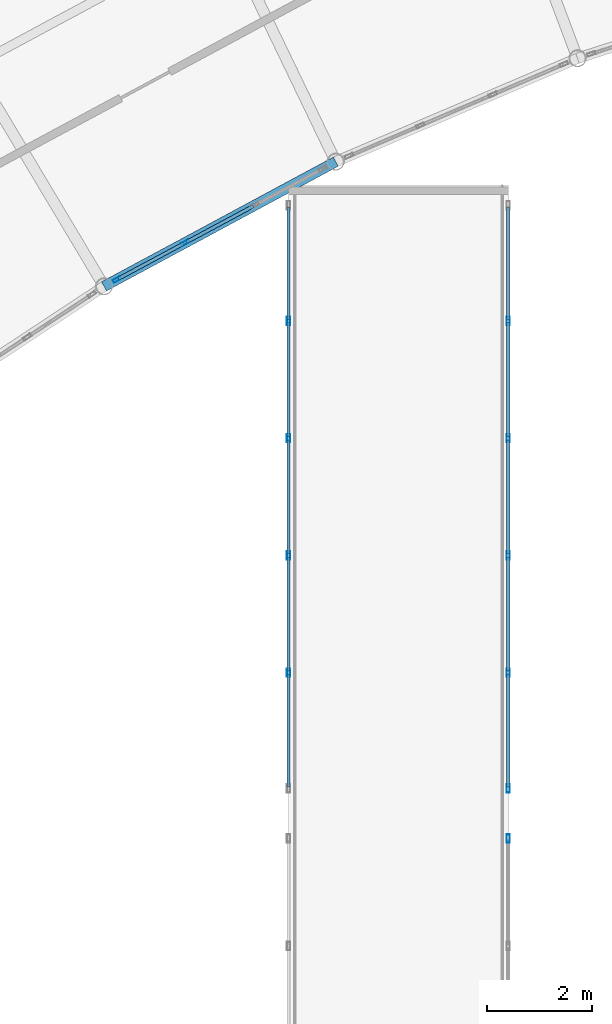
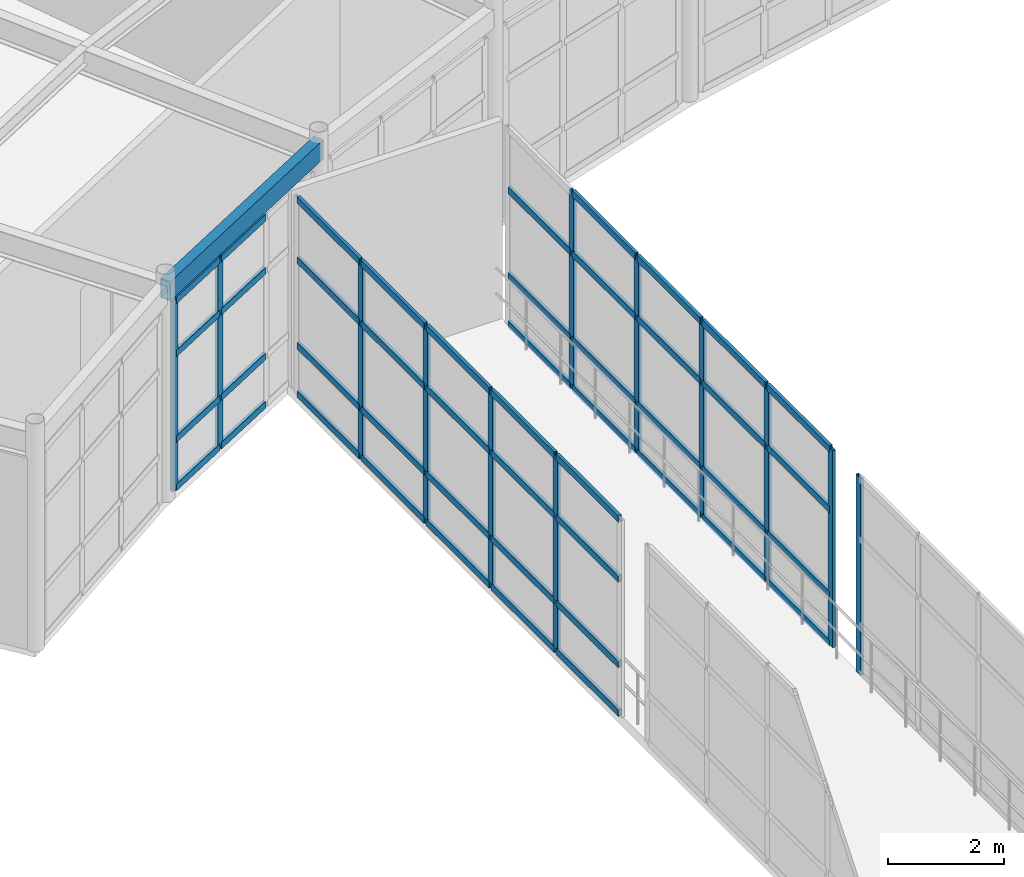
# One storey, part 67 of 116: 59 members, 1 beam, 4 elements without a shape of their own.
"""IFC4 building model written with IfcOpenShell, lengths in metres."""

from ifc_helpers import new_model, si_unit, direction, frame, origin, origin_2d, place, context, subcontext, project, spatial, hollow_rectangle, extrude, material, layer, layer_set, material_profile, profile_set, type_object, element, aggregate, save


model = new_model("IFC4")

# Units and contexts
model_context = context("Model", 3, precision=1e-05, world=origin(), true_north=direction((0.0, 1.0)))
body_context = subcontext(model_context, "Body", "Model", "MODEL_VIEW")
ifc_project = project(units=[si_unit("LENGTHUNIT", "METRE"), si_unit("AREAUNIT", "SQUARE_METRE"), si_unit("VOLUMEUNIT", "CUBIC_METRE"), si_unit("PLANEANGLEUNIT", "RADIAN"), si_unit("MASSUNIT", "GRAM", prefix="KILO")], contexts=[model_context])

# Site, building, storey
site_placement = place(None, origin())
site = spatial("IfcSite", under=ifc_project, at=site_placement, CompositionType="ELEMENT")
building_placement = place(site_placement, origin())
building = spatial("IfcBuilding", under=site, at=building_placement, Name="Selat Folded Stagehouse", CompositionType="ELEMENT")
storey_placement = place(building_placement, frame((0.0, 0.0, 5.39990234375)))
storey = spatial("IfcBuildingStorey", under=building, at=storey_placement, Name="L01", CompositionType="ELEMENT", Elevation=5.39990234375)

# Curtain wall, members
ifc_material_1 = material(Name="Aluminium 6063-T6", Category="aluminium")
ifc_layer_1 = layer(ifc_material_1, 0.18994140625)
ifc_layer_set_1 = layer_set([ifc_layer_1], Name="Aluminium 6063-T6")
curtain_wall_type_1 = type_object("IfcCurtainWallType", Name="CW-REH-ARC", PredefinedType="NOTDEFINED", material=ifc_layer_set_1)
curtain_wall_1_placement = place(storey_placement, origin())
curtain_wall_1 = element("IfcCurtainWall", 1, at=curtain_wall_1_placement, inside=storey, type_object=curtain_wall_type_1, Name="L01 curtain wall CW-REH-L01-01", PredefinedType="NOTDEFINED")
ifc_material_profile_1 = material_profile(ifc_material_1, hollow_rectangle(XDim=0.06005859375, YDim=0.159912109375, WallThickness=0.00390625, at=origin_2d()), Name="ALU 160x60x4.0")
ifc_profile_set_1 = profile_set([ifc_material_profile_1], Name="Aluminium 6063-T6")
member_type_1 = type_object("IfcMemberType", Name="CWM-MUL-160x60", PredefinedType="MULLION", material=ifc_profile_set_1)
member_1_placement = place(storey_placement, frame((65.225830078125, 86.90625, 0.0), z_axis=(0.0, 0.0, 1.0), x_axis=(0.473858636259, -0.880600927119, 0.0)))
member_1 = element("IfcMember", 2, at=member_1_placement, type_object=member_type_1, Name="CW-06 mullion 3", PredefinedType="MULLION", context=body_context, shape_type="SweptSolid", body=[
    extrude(hollow_rectangle(XDim=0.06005859375, YDim=0.159912109375, WallThickness=0.00390625, at=origin_2d()), origin(), (0.0, 0.0, 1.0), 4.0),
])
member_2_placement = place(storey_placement, frame((63.924072265625, 86.205810546875, 0.0), z_axis=(0.0, 0.0, 1.0), x_axis=(0.473858636259, -0.880600927119, 0.0)))
member_2 = element("IfcMember", 3, at=member_2_placement, type_object=member_type_1, Name="CW-06 mullion 4", PredefinedType="MULLION", context=body_context, shape_type="SweptSolid", body=[
    extrude(hollow_rectangle(XDim=0.06005859375, YDim=0.159912109375, WallThickness=0.00390625, at=origin_2d()), origin(), (0.0, 0.0, 1.0), 4.0),
])

ifc_layer_2 = layer(ifc_material_1, 0.175048828125)
ifc_layer_set_2 = layer_set([ifc_layer_2], Name="Aluminium 6063-T6")
curtain_wall_type_2 = type_object("IfcCurtainWallType", Name="CW-BRG-GLAZ", PredefinedType="NOTDEFINED", material=ifc_layer_set_2)
curtain_wall_2_placement = place(storey_placement, origin())
curtain_wall_2 = element("IfcCurtainWall", 4, at=curtain_wall_2_placement, inside=storey, type_object=curtain_wall_type_2, Name="L01 curtain wall CW-BRG-05", PredefinedType="NOTDEFINED")
member_3_placement = place(storey_placement, frame((67.199951171875, 78.68994140625, 0.0), z_axis=(0.0, 0.0, 1.0), x_axis=(-1.0, 0.0, 0.0)))
member_3 = element("IfcMember", 5, at=member_3_placement, type_object=member_type_1, Name="CW-07 mullion 2", PredefinedType="MULLION", context=body_context, shape_type="SweptSolid", body=[
    extrude(hollow_rectangle(XDim=0.06005859375, YDim=0.159912109375, WallThickness=0.00390625, at=origin_2d()), origin(), (0.0, 0.0, 1.0), 4.150146484375),
])
member_4_placement = place(storey_placement, frame((67.199951171875, 80.929931640625, 0.0), z_axis=(0.0, 0.0, 1.0), x_axis=(-1.0, 0.0, 0.0)))
member_4 = element("IfcMember", 6, at=member_4_placement, type_object=member_type_1, Name="CW-07 mullion 3", PredefinedType="MULLION", context=body_context, shape_type="SweptSolid", body=[
    extrude(hollow_rectangle(XDim=0.06005859375, YDim=0.159912109375, WallThickness=0.00390625, at=origin_2d()), origin(), (0.0, 0.0, 1.0), 4.150146484375),
])
member_5_placement = place(storey_placement, frame((67.199951171875, 83.169921875, 0.0), z_axis=(0.0, 0.0, 1.0), x_axis=(-1.0, 0.0, 0.0)))
member_5 = element("IfcMember", 7, at=member_5_placement, type_object=member_type_1, Name="CW-07 mullion 4", PredefinedType="MULLION", context=body_context, shape_type="SweptSolid", body=[
    extrude(hollow_rectangle(XDim=0.06005859375, YDim=0.159912109375, WallThickness=0.00390625, at=origin_2d()), origin(), (0.0, 0.0, 1.0), 4.150146484375),
])
member_6_placement = place(storey_placement, frame((67.199951171875, 85.409912109375, 0.0), z_axis=(0.0, 0.0, 1.0), x_axis=(-1.0, 0.0, 0.0)))
member_6 = element("IfcMember", 8, at=member_6_placement, type_object=member_type_1, Name="CW-07 mullion 5", PredefinedType="MULLION", context=body_context, shape_type="SweptSolid", body=[
    extrude(hollow_rectangle(XDim=0.06005859375, YDim=0.159912109375, WallThickness=0.00390625, at=origin_2d()), origin(), (0.0, 0.0, 1.0), 4.150146484375),
])

# Curtain wall, member
curtain_wall_3_placement = place(storey_placement, origin())
curtain_wall_3 = element("IfcCurtainWall", 9, at=curtain_wall_3_placement, inside=storey, type_object=curtain_wall_type_2, Name="L01 curtain wall CW-BRG-09", PredefinedType="NOTDEFINED")
member_7_placement = place(storey_placement, frame((71.39990234375, 75.52001953125, 0.0), z_axis=(0.0, 0.0, 1.0), x_axis=(1.0, 0.0, 0.0)))
member_7 = element("IfcMember", 10, at=member_7_placement, type_object=member_type_1, Name="CW-07 mullion 1", PredefinedType="MULLION", context=body_context, shape_type="SweptSolid", body=[
    extrude(hollow_rectangle(XDim=0.06005859375, YDim=0.159912109375, WallThickness=0.00390625, at=origin_2d()), origin(), (0.0, 0.0, 1.0), 4.150146484375),
])
aggregate(curtain_wall_3, [member_7])

# Curtain wall, members
curtain_wall_4_placement = place(storey_placement, origin())
curtain_wall_4 = element("IfcCurtainWall", 11, at=curtain_wall_4_placement, inside=storey, type_object=curtain_wall_type_2, Name="L01 curtain wall CW-BRG-10", PredefinedType="NOTDEFINED")
member_8_placement = place(storey_placement, frame((71.39990234375, 85.409912109375, 0.0), z_axis=(0.0, 0.0, 1.0), x_axis=(1.0, 0.0, 0.0)))
member_8 = element("IfcMember", 12, at=member_8_placement, type_object=member_type_1, Name="CW-07 mullion 2", PredefinedType="MULLION", context=body_context, shape_type="SweptSolid", body=[
    extrude(hollow_rectangle(XDim=0.06005859375, YDim=0.159912109375, WallThickness=0.00390625, at=origin_2d()), origin(), (0.0, 0.0, 1.0), 4.150146484375),
])
member_9_placement = place(storey_placement, frame((71.39990234375, 83.169921875, 0.0), z_axis=(0.0, 0.0, 1.0), x_axis=(1.0, 0.0, 0.0)))
member_9 = element("IfcMember", 13, at=member_9_placement, type_object=member_type_1, Name="CW-07 mullion 3", PredefinedType="MULLION", context=body_context, shape_type="SweptSolid", body=[
    extrude(hollow_rectangle(XDim=0.06005859375, YDim=0.159912109375, WallThickness=0.00390625, at=origin_2d()), origin(), (0.0, 0.0, 1.0), 4.150146484375),
])
member_10_placement = place(storey_placement, frame((71.39990234375, 80.929931640625, 0.0), z_axis=(0.0, 0.0, 1.0), x_axis=(1.0, 0.0, 0.0)))
member_10 = element("IfcMember", 14, at=member_10_placement, type_object=member_type_1, Name="CW-07 mullion 4", PredefinedType="MULLION", context=body_context, shape_type="SweptSolid", body=[
    extrude(hollow_rectangle(XDim=0.06005859375, YDim=0.159912109375, WallThickness=0.00390625, at=origin_2d()), origin(), (0.0, 0.0, 1.0), 4.150146484375),
])
member_11_placement = place(storey_placement, frame((71.39990234375, 78.68994140625, 0.0), z_axis=(0.0, 0.0, 1.0), x_axis=(1.0, 0.0, 0.0)))
member_11 = element("IfcMember", 15, at=member_11_placement, type_object=member_type_1, Name="CW-07 mullion 5", PredefinedType="MULLION", context=body_context, shape_type="SweptSolid", body=[
    extrude(hollow_rectangle(XDim=0.06005859375, YDim=0.159912109375, WallThickness=0.00390625, at=origin_2d()), origin(), (0.0, 0.0, 1.0), 4.150146484375),
])
member_12_placement = place(storey_placement, frame((71.39990234375, 76.47998046875, 0.0), z_axis=(0.0, 0.0, 1.0), x_axis=(1.0, 0.0, 0.0)))
member_12 = element("IfcMember", 16, at=member_12_placement, type_object=member_type_1, Name="CW-07 mullion 6", PredefinedType="MULLION", context=body_context, shape_type="SweptSolid", body=[
    extrude(hollow_rectangle(XDim=0.06005859375, YDim=0.159912109375, WallThickness=0.00390625, at=origin_2d()), origin(), (0.0, 0.0, 1.0), 4.150146484375),
])

# Member
ifc_material_profile_2 = material_profile(ifc_material_1, hollow_rectangle(XDim=0.06494140625, YDim=0.139892578125, WallThickness=0.00390625, at=origin_2d()), Name="ALU 140x65x4.0")
ifc_profile_set_2 = profile_set([ifc_material_profile_2], Name="Aluminium 6063-T6")
member_type_2 = type_object("IfcMemberType", Name="CWM-TRN-140x65", PredefinedType="USERDEFINED", material=ifc_profile_set_2)
member_13_placement = place(storey_placement, frame((66.52783203125, 87.60693359375, 0.03271484375), z_axis=(-0.880606383505, -0.473848496178, 0.0), x_axis=(0.473848496178, -0.880606383505, 0.0)))
member_13 = element("IfcMember", 17, at=member_13_placement, type_object=member_type_2, Name="CW-06 transom 2.1", ObjectType="TRANSOM", PredefinedType="USERDEFINED", context=body_context, shape_type="SweptSolid", body=[
    extrude(hollow_rectangle(XDim=0.06494140625, YDim=0.139892578125, WallThickness=0.00390625, at=origin_2d()), origin(), (0.0, 0.0, 1.0), 1.4482421875),
])

member_14_placement = place(storey_placement, frame((66.52783203125, 87.60693359375, 1.050048828125), z_axis=(-0.880606383505, -0.473848496178, 0.0), x_axis=(0.473848496178, -0.880606383505, 0.0)))
member_14 = element("IfcMember", 18, at=member_14_placement, type_object=member_type_2, Name="CW-06 transom 2.2", ObjectType="TRANSOM", PredefinedType="USERDEFINED", context=body_context, shape_type="SweptSolid", body=[
    extrude(hollow_rectangle(XDim=0.06494140625, YDim=0.139892578125, WallThickness=0.00390625, at=origin_2d()), origin(), (0.0, 0.0, 1.0), 1.4482421875),
])

member_15_placement = place(storey_placement, frame((66.52783203125, 87.60693359375, 2.85009765625), z_axis=(-0.880606383505, -0.473848496178, 0.0), x_axis=(0.473848496178, -0.880606383505, 0.0)))
member_15 = element("IfcMember", 19, at=member_15_placement, type_object=member_type_2, Name="CW-06 transom 2.3", ObjectType="TRANSOM", PredefinedType="USERDEFINED", context=body_context, shape_type="SweptSolid", body=[
    extrude(hollow_rectangle(XDim=0.06494140625, YDim=0.139892578125, WallThickness=0.00390625, at=origin_2d()), origin(), (0.0, 0.0, 1.0), 1.4482421875),
])

member_16_placement = place(storey_placement, frame((66.52783203125, 87.60693359375, 3.967529296875), z_axis=(-0.880606383505, -0.473848496178, 0.0), x_axis=(0.473848496178, -0.880606383505, 0.0)))
member_16 = element("IfcMember", 20, at=member_16_placement, type_object=member_type_2, Name="CW-06 transom 2.4", ObjectType="TRANSOM", PredefinedType="USERDEFINED", context=body_context, shape_type="SweptSolid", body=[
    extrude(hollow_rectangle(XDim=0.06494140625, YDim=0.139892578125, WallThickness=0.00390625, at=origin_2d()), origin(), (0.0, 0.0, 1.0), 1.4482421875),
])

member_17_placement = place(storey_placement, frame((65.199462890625, 86.89208984375, 0.03271484375), z_axis=(-0.880598189077, -0.473863724497, 0.0), x_axis=(0.473863724497, -0.880598189077, 0.0)))
member_17 = element("IfcMember", 21, at=member_17_placement, type_object=member_type_2, Name="CW-06 transom 3.1", ObjectType="TRANSOM", PredefinedType="USERDEFINED", context=body_context, shape_type="SweptSolid", body=[
    extrude(hollow_rectangle(XDim=0.06494140625, YDim=0.139892578125, WallThickness=0.00390625, at=origin_2d()), origin(), (0.0, 0.0, 1.0), 1.41845703125),
])

member_18_placement = place(storey_placement, frame((65.199462890625, 86.89208984375, 1.050048828125), z_axis=(-0.880598189077, -0.473863724497, 0.0), x_axis=(0.473863724497, -0.880598189077, 0.0)))
member_18 = element("IfcMember", 22, at=member_18_placement, type_object=member_type_2, Name="CW-06 transom 3.2", ObjectType="TRANSOM", PredefinedType="USERDEFINED", context=body_context, shape_type="SweptSolid", body=[
    extrude(hollow_rectangle(XDim=0.06494140625, YDim=0.139892578125, WallThickness=0.00390625, at=origin_2d()), origin(), (0.0, 0.0, 1.0), 1.41845703125),
])

member_19_placement = place(storey_placement, frame((65.199462890625, 86.89208984375, 2.85009765625), z_axis=(-0.880598189077, -0.473863724497, 0.0), x_axis=(0.473863724497, -0.880598189077, 0.0)))
member_19 = element("IfcMember", 23, at=member_19_placement, type_object=member_type_2, Name="CW-06 transom 3.3", ObjectType="TRANSOM", PredefinedType="USERDEFINED", context=body_context, shape_type="SweptSolid", body=[
    extrude(hollow_rectangle(XDim=0.06494140625, YDim=0.139892578125, WallThickness=0.00390625, at=origin_2d()), origin(), (0.0, 0.0, 1.0), 1.41845703125),
])

member_20_placement = place(storey_placement, frame((65.199462890625, 86.89208984375, 3.967529296875), z_axis=(-0.880598189077, -0.473863724497, 0.0), x_axis=(0.473863724497, -0.880598189077, 0.0)))
member_20 = element("IfcMember", 24, at=member_20_placement, type_object=member_type_2, Name="CW-06 transom 3.4", ObjectType="TRANSOM", PredefinedType="USERDEFINED", context=body_context, shape_type="SweptSolid", body=[
    extrude(hollow_rectangle(XDim=0.06494140625, YDim=0.139892578125, WallThickness=0.00390625, at=origin_2d()), origin(), (0.0, 0.0, 1.0), 1.41845703125),
])

aggregate(curtain_wall_1, [member_1, member_2, member_13, member_14, member_15, member_16, member_17, member_18, member_19, member_20])

member_21_placement = place(storey_placement, frame((67.199951171875, 76.510009765625, 0.03271484375), z_axis=(0.0, 1.0, 0.0), x_axis=(-1.0, 0.0, 0.0)))
member_21 = element("IfcMember", 25, at=member_21_placement, type_object=member_type_2, Name="CW-07 transom 1.1", ObjectType="TRANSOM", PredefinedType="USERDEFINED", context=body_context, shape_type="SweptSolid", body=[
    extrude(hollow_rectangle(XDim=0.06494140625, YDim=0.139892578125, WallThickness=0.00390625, at=origin_2d()), origin(), (0.0, 0.0, 1.0), 2.14990234375),
])

member_22_placement = place(storey_placement, frame((67.199951171875, 76.510009765625, 1.050048828125), z_axis=(0.0, 1.0, 0.0), x_axis=(-1.0, 0.0, 0.0)))
member_22 = element("IfcMember", 26, at=member_22_placement, type_object=member_type_2, Name="CW-07 transom 1.2", ObjectType="TRANSOM", PredefinedType="USERDEFINED", context=body_context, shape_type="SweptSolid", body=[
    extrude(hollow_rectangle(XDim=0.06494140625, YDim=0.139892578125, WallThickness=0.00390625, at=origin_2d()), origin(), (0.0, 0.0, 1.0), 2.14990234375),
])

member_23_placement = place(storey_placement, frame((67.199951171875, 76.510009765625, 2.85009765625), z_axis=(0.0, 1.0, 0.0), x_axis=(-1.0, 0.0, 0.0)))
member_23 = element("IfcMember", 27, at=member_23_placement, type_object=member_type_2, Name="CW-07 transom 1.3", ObjectType="TRANSOM", PredefinedType="USERDEFINED", context=body_context, shape_type="SweptSolid", body=[
    extrude(hollow_rectangle(XDim=0.06494140625, YDim=0.139892578125, WallThickness=0.00390625, at=origin_2d()), origin(), (0.0, 0.0, 1.0), 2.14990234375),
])

member_24_placement = place(storey_placement, frame((67.199951171875, 76.510009765625, 4.11767578125), z_axis=(0.0, 1.0, 0.0), x_axis=(-1.0, 0.0, 0.0)))
member_24 = element("IfcMember", 28, at=member_24_placement, type_object=member_type_2, Name="CW-07 transom 1.4", ObjectType="TRANSOM", PredefinedType="USERDEFINED", context=body_context, shape_type="SweptSolid", body=[
    extrude(hollow_rectangle(XDim=0.06494140625, YDim=0.139892578125, WallThickness=0.00390625, at=origin_2d()), origin(), (0.0, 0.0, 1.0), 2.14990234375),
])

member_25_placement = place(storey_placement, frame((67.199951171875, 78.719970703125, 0.03271484375), z_axis=(0.0, 1.0, 0.0), x_axis=(-1.0, 0.0, 0.0)))
member_25 = element("IfcMember", 29, at=member_25_placement, type_object=member_type_2, Name="CW-07 transom 2.1", ObjectType="TRANSOM", PredefinedType="USERDEFINED", context=body_context, shape_type="SweptSolid", body=[
    extrude(hollow_rectangle(XDim=0.06494140625, YDim=0.139892578125, WallThickness=0.00390625, at=origin_2d()), origin(), (0.0, 0.0, 1.0), 2.179931640625),
])

member_26_placement = place(storey_placement, frame((67.199951171875, 78.719970703125, 1.050048828125), z_axis=(0.0, 1.0, 0.0), x_axis=(-1.0, 0.0, 0.0)))
member_26 = element("IfcMember", 30, at=member_26_placement, type_object=member_type_2, Name="CW-07 transom 2.2", ObjectType="TRANSOM", PredefinedType="USERDEFINED", context=body_context, shape_type="SweptSolid", body=[
    extrude(hollow_rectangle(XDim=0.06494140625, YDim=0.139892578125, WallThickness=0.00390625, at=origin_2d()), origin(), (0.0, 0.0, 1.0), 2.179931640625),
])

member_27_placement = place(storey_placement, frame((67.199951171875, 78.719970703125, 2.85009765625), z_axis=(0.0, 1.0, 0.0), x_axis=(-1.0, 0.0, 0.0)))
member_27 = element("IfcMember", 31, at=member_27_placement, type_object=member_type_2, Name="CW-07 transom 2.3", ObjectType="TRANSOM", PredefinedType="USERDEFINED", context=body_context, shape_type="SweptSolid", body=[
    extrude(hollow_rectangle(XDim=0.06494140625, YDim=0.139892578125, WallThickness=0.00390625, at=origin_2d()), origin(), (0.0, 0.0, 1.0), 2.179931640625),
])

member_28_placement = place(storey_placement, frame((67.199951171875, 78.719970703125, 4.11767578125), z_axis=(0.0, 1.0, 0.0), x_axis=(-1.0, 0.0, 0.0)))
member_28 = element("IfcMember", 32, at=member_28_placement, type_object=member_type_2, Name="CW-07 transom 2.4", ObjectType="TRANSOM", PredefinedType="USERDEFINED", context=body_context, shape_type="SweptSolid", body=[
    extrude(hollow_rectangle(XDim=0.06494140625, YDim=0.139892578125, WallThickness=0.00390625, at=origin_2d()), origin(), (0.0, 0.0, 1.0), 2.179931640625),
])

member_29_placement = place(storey_placement, frame((67.199951171875, 80.9599609375, 0.03271484375), z_axis=(0.0, 1.0, 0.0), x_axis=(-1.0, 0.0, 0.0)))
member_29 = element("IfcMember", 33, at=member_29_placement, type_object=member_type_2, Name="CW-07 transom 3.1", ObjectType="TRANSOM", PredefinedType="USERDEFINED", context=body_context, shape_type="SweptSolid", body=[
    extrude(hollow_rectangle(XDim=0.06494140625, YDim=0.139892578125, WallThickness=0.00390625, at=origin_2d()), origin(), (0.0, 0.0, 1.0), 2.179931640625),
])

member_30_placement = place(storey_placement, frame((67.199951171875, 80.9599609375, 1.050048828125), z_axis=(0.0, 1.0, 0.0), x_axis=(-1.0, 0.0, 0.0)))
member_30 = element("IfcMember", 34, at=member_30_placement, type_object=member_type_2, Name="CW-07 transom 3.2", ObjectType="TRANSOM", PredefinedType="USERDEFINED", context=body_context, shape_type="SweptSolid", body=[
    extrude(hollow_rectangle(XDim=0.06494140625, YDim=0.139892578125, WallThickness=0.00390625, at=origin_2d()), origin(), (0.0, 0.0, 1.0), 2.179931640625),
])

member_31_placement = place(storey_placement, frame((67.199951171875, 80.9599609375, 2.85009765625), z_axis=(0.0, 1.0, 0.0), x_axis=(-1.0, 0.0, 0.0)))
member_31 = element("IfcMember", 35, at=member_31_placement, type_object=member_type_2, Name="CW-07 transom 3.3", ObjectType="TRANSOM", PredefinedType="USERDEFINED", context=body_context, shape_type="SweptSolid", body=[
    extrude(hollow_rectangle(XDim=0.06494140625, YDim=0.139892578125, WallThickness=0.00390625, at=origin_2d()), origin(), (0.0, 0.0, 1.0), 2.179931640625),
])

member_32_placement = place(storey_placement, frame((67.199951171875, 80.9599609375, 4.11767578125), z_axis=(0.0, 1.0, 0.0), x_axis=(-1.0, 0.0, 0.0)))
member_32 = element("IfcMember", 36, at=member_32_placement, type_object=member_type_2, Name="CW-07 transom 3.4", ObjectType="TRANSOM", PredefinedType="USERDEFINED", context=body_context, shape_type="SweptSolid", body=[
    extrude(hollow_rectangle(XDim=0.06494140625, YDim=0.139892578125, WallThickness=0.00390625, at=origin_2d()), origin(), (0.0, 0.0, 1.0), 2.179931640625),
])

member_33_placement = place(storey_placement, frame((67.199951171875, 83.199951171875, 0.03271484375), z_axis=(0.0, 1.0, 0.0), x_axis=(-1.0, 0.0, 0.0)))
member_33 = element("IfcMember", 37, at=member_33_placement, type_object=member_type_2, Name="CW-07 transom 4.1", ObjectType="TRANSOM", PredefinedType="USERDEFINED", context=body_context, shape_type="SweptSolid", body=[
    extrude(hollow_rectangle(XDim=0.06494140625, YDim=0.139892578125, WallThickness=0.00390625, at=origin_2d()), origin(), (0.0, 0.0, 1.0), 2.179931640625),
])

member_34_placement = place(storey_placement, frame((67.199951171875, 83.199951171875, 1.050048828125), z_axis=(0.0, 1.0, 0.0), x_axis=(-1.0, 0.0, 0.0)))
member_34 = element("IfcMember", 38, at=member_34_placement, type_object=member_type_2, Name="CW-07 transom 4.2", ObjectType="TRANSOM", PredefinedType="USERDEFINED", context=body_context, shape_type="SweptSolid", body=[
    extrude(hollow_rectangle(XDim=0.06494140625, YDim=0.139892578125, WallThickness=0.00390625, at=origin_2d()), origin(), (0.0, 0.0, 1.0), 2.179931640625),
])

member_35_placement = place(storey_placement, frame((67.199951171875, 83.199951171875, 2.85009765625), z_axis=(0.0, 1.0, 0.0), x_axis=(-1.0, 0.0, 0.0)))
member_35 = element("IfcMember", 39, at=member_35_placement, type_object=member_type_2, Name="CW-07 transom 4.3", ObjectType="TRANSOM", PredefinedType="USERDEFINED", context=body_context, shape_type="SweptSolid", body=[
    extrude(hollow_rectangle(XDim=0.06494140625, YDim=0.139892578125, WallThickness=0.00390625, at=origin_2d()), origin(), (0.0, 0.0, 1.0), 2.179931640625),
])

member_36_placement = place(storey_placement, frame((67.199951171875, 83.199951171875, 4.11767578125), z_axis=(0.0, 1.0, 0.0), x_axis=(-1.0, 0.0, 0.0)))
member_36 = element("IfcMember", 40, at=member_36_placement, type_object=member_type_2, Name="CW-07 transom 4.4", ObjectType="TRANSOM", PredefinedType="USERDEFINED", context=body_context, shape_type="SweptSolid", body=[
    extrude(hollow_rectangle(XDim=0.06494140625, YDim=0.139892578125, WallThickness=0.00390625, at=origin_2d()), origin(), (0.0, 0.0, 1.0), 2.179931640625),
])

member_37_placement = place(storey_placement, frame((67.199951171875, 85.43994140625, 0.03271484375), z_axis=(0.0, 1.0, 0.0), x_axis=(-1.0, 0.0, 0.0)))
member_37 = element("IfcMember", 41, at=member_37_placement, type_object=member_type_2, Name="CW-07 transom 5.1", ObjectType="TRANSOM", PredefinedType="USERDEFINED", context=body_context, shape_type="SweptSolid", body=[
    extrude(hollow_rectangle(XDim=0.06494140625, YDim=0.139892578125, WallThickness=0.00390625, at=origin_2d()), origin(), (0.0, 0.0, 1.0), 2.150146484375),
])

member_38_placement = place(storey_placement, frame((67.199951171875, 85.43994140625, 1.050048828125), z_axis=(0.0, 1.0, 0.0), x_axis=(-1.0, 0.0, 0.0)))
member_38 = element("IfcMember", 42, at=member_38_placement, type_object=member_type_2, Name="CW-07 transom 5.2", ObjectType="TRANSOM", PredefinedType="USERDEFINED", context=body_context, shape_type="SweptSolid", body=[
    extrude(hollow_rectangle(XDim=0.06494140625, YDim=0.139892578125, WallThickness=0.00390625, at=origin_2d()), origin(), (0.0, 0.0, 1.0), 2.150146484375),
])

member_39_placement = place(storey_placement, frame((67.199951171875, 85.43994140625, 2.85009765625), z_axis=(0.0, 1.0, 0.0), x_axis=(-1.0, 0.0, 0.0)))
member_39 = element("IfcMember", 43, at=member_39_placement, type_object=member_type_2, Name="CW-07 transom 5.3", ObjectType="TRANSOM", PredefinedType="USERDEFINED", context=body_context, shape_type="SweptSolid", body=[
    extrude(hollow_rectangle(XDim=0.06494140625, YDim=0.139892578125, WallThickness=0.00390625, at=origin_2d()), origin(), (0.0, 0.0, 1.0), 2.150146484375),
])

member_40_placement = place(storey_placement, frame((67.199951171875, 85.43994140625, 4.11767578125), z_axis=(0.0, 1.0, 0.0), x_axis=(-1.0, 0.0, 0.0)))
member_40 = element("IfcMember", 44, at=member_40_placement, type_object=member_type_2, Name="CW-07 transom 5.4", ObjectType="TRANSOM", PredefinedType="USERDEFINED", context=body_context, shape_type="SweptSolid", body=[
    extrude(hollow_rectangle(XDim=0.06494140625, YDim=0.139892578125, WallThickness=0.00390625, at=origin_2d()), origin(), (0.0, 0.0, 1.0), 2.150146484375),
])

aggregate(curtain_wall_2, [member_3, member_4, member_5, member_6, member_21, member_22, member_23, member_24, member_25, member_26, member_27, member_28, member_29, member_30, member_31, member_32, member_33, member_34, member_35, member_36, member_37, member_38, member_39, member_40])

member_41_placement = place(storey_placement, frame((71.39990234375, 87.590087890625, 0.03271484375), z_axis=(0.0, -1.0, 0.0), x_axis=(1.0, 0.0, 0.0)))
member_41 = element("IfcMember", 45, at=member_41_placement, type_object=member_type_2, Name="CW-07 transom 1.1", ObjectType="TRANSOM", PredefinedType="USERDEFINED", context=body_context, shape_type="SweptSolid", body=[
    extrude(hollow_rectangle(XDim=0.06494140625, YDim=0.139892578125, WallThickness=0.00390625, at=origin_2d()), origin(), (0.0, 0.0, 1.0), 2.150146484375),
])

member_42_placement = place(storey_placement, frame((71.39990234375, 87.590087890625, 1.050048828125), z_axis=(0.0, -1.0, 0.0), x_axis=(1.0, 0.0, 0.0)))
member_42 = element("IfcMember", 46, at=member_42_placement, type_object=member_type_2, Name="CW-07 transom 1.2", ObjectType="TRANSOM", PredefinedType="USERDEFINED", context=body_context, shape_type="SweptSolid", body=[
    extrude(hollow_rectangle(XDim=0.06494140625, YDim=0.139892578125, WallThickness=0.00390625, at=origin_2d()), origin(), (0.0, 0.0, 1.0), 2.150146484375),
])

member_43_placement = place(storey_placement, frame((71.39990234375, 87.590087890625, 2.85009765625), z_axis=(0.0, -1.0, 0.0), x_axis=(1.0, 0.0, 0.0)))
member_43 = element("IfcMember", 47, at=member_43_placement, type_object=member_type_2, Name="CW-07 transom 1.3", ObjectType="TRANSOM", PredefinedType="USERDEFINED", context=body_context, shape_type="SweptSolid", body=[
    extrude(hollow_rectangle(XDim=0.06494140625, YDim=0.139892578125, WallThickness=0.00390625, at=origin_2d()), origin(), (0.0, 0.0, 1.0), 2.150146484375),
])

member_44_placement = place(storey_placement, frame((71.39990234375, 85.3798828125, 0.03271484375), z_axis=(0.0, -1.0, 0.0), x_axis=(1.0, 0.0, 0.0)))
member_44 = element("IfcMember", 48, at=member_44_placement, type_object=member_type_2, Name="CW-07 transom 2.1", ObjectType="TRANSOM", PredefinedType="USERDEFINED", context=body_context, shape_type="SweptSolid", body=[
    extrude(hollow_rectangle(XDim=0.06494140625, YDim=0.139892578125, WallThickness=0.00390625, at=origin_2d()), origin(), (0.0, 0.0, 1.0), 2.179931640625),
])

member_45_placement = place(storey_placement, frame((71.39990234375, 85.3798828125, 1.050048828125), z_axis=(0.0, -1.0, 0.0), x_axis=(1.0, 0.0, 0.0)))
member_45 = element("IfcMember", 49, at=member_45_placement, type_object=member_type_2, Name="CW-07 transom 2.2", ObjectType="TRANSOM", PredefinedType="USERDEFINED", context=body_context, shape_type="SweptSolid", body=[
    extrude(hollow_rectangle(XDim=0.06494140625, YDim=0.139892578125, WallThickness=0.00390625, at=origin_2d()), origin(), (0.0, 0.0, 1.0), 2.179931640625),
])

member_46_placement = place(storey_placement, frame((71.39990234375, 85.3798828125, 2.85009765625), z_axis=(0.0, -1.0, 0.0), x_axis=(1.0, 0.0, 0.0)))
member_46 = element("IfcMember", 50, at=member_46_placement, type_object=member_type_2, Name="CW-07 transom 2.3", ObjectType="TRANSOM", PredefinedType="USERDEFINED", context=body_context, shape_type="SweptSolid", body=[
    extrude(hollow_rectangle(XDim=0.06494140625, YDim=0.139892578125, WallThickness=0.00390625, at=origin_2d()), origin(), (0.0, 0.0, 1.0), 2.179931640625),
])

member_47_placement = place(storey_placement, frame((71.39990234375, 85.3798828125, 4.11767578125), z_axis=(0.0, -1.0, 0.0), x_axis=(1.0, 0.0, 0.0)))
member_47 = element("IfcMember", 51, at=member_47_placement, type_object=member_type_2, Name="CW-07 transom 2.4", ObjectType="TRANSOM", PredefinedType="USERDEFINED", context=body_context, shape_type="SweptSolid", body=[
    extrude(hollow_rectangle(XDim=0.06494140625, YDim=0.139892578125, WallThickness=0.00390625, at=origin_2d()), origin(), (0.0, 0.0, 1.0), 2.179931640625),
])

member_48_placement = place(storey_placement, frame((71.39990234375, 83.139892578125, 0.03271484375), z_axis=(0.0, -1.0, 0.0), x_axis=(1.0, 0.0, 0.0)))
member_48 = element("IfcMember", 52, at=member_48_placement, type_object=member_type_2, Name="CW-07 transom 3.1", ObjectType="TRANSOM", PredefinedType="USERDEFINED", context=body_context, shape_type="SweptSolid", body=[
    extrude(hollow_rectangle(XDim=0.06494140625, YDim=0.139892578125, WallThickness=0.00390625, at=origin_2d()), origin(), (0.0, 0.0, 1.0), 2.179931640625),
])

member_49_placement = place(storey_placement, frame((71.39990234375, 83.139892578125, 1.050048828125), z_axis=(0.0, -1.0, 0.0), x_axis=(1.0, 0.0, 0.0)))
member_49 = element("IfcMember", 53, at=member_49_placement, type_object=member_type_2, Name="CW-07 transom 3.2", ObjectType="TRANSOM", PredefinedType="USERDEFINED", context=body_context, shape_type="SweptSolid", body=[
    extrude(hollow_rectangle(XDim=0.06494140625, YDim=0.139892578125, WallThickness=0.00390625, at=origin_2d()), origin(), (0.0, 0.0, 1.0), 2.179931640625),
])

member_50_placement = place(storey_placement, frame((71.39990234375, 83.139892578125, 2.85009765625), z_axis=(0.0, -1.0, 0.0), x_axis=(1.0, 0.0, 0.0)))
member_50 = element("IfcMember", 54, at=member_50_placement, type_object=member_type_2, Name="CW-07 transom 3.3", ObjectType="TRANSOM", PredefinedType="USERDEFINED", context=body_context, shape_type="SweptSolid", body=[
    extrude(hollow_rectangle(XDim=0.06494140625, YDim=0.139892578125, WallThickness=0.00390625, at=origin_2d()), origin(), (0.0, 0.0, 1.0), 2.179931640625),
])

member_51_placement = place(storey_placement, frame((71.39990234375, 83.139892578125, 4.11767578125), z_axis=(0.0, -1.0, 0.0), x_axis=(1.0, 0.0, 0.0)))
member_51 = element("IfcMember", 55, at=member_51_placement, type_object=member_type_2, Name="CW-07 transom 3.4", ObjectType="TRANSOM", PredefinedType="USERDEFINED", context=body_context, shape_type="SweptSolid", body=[
    extrude(hollow_rectangle(XDim=0.06494140625, YDim=0.139892578125, WallThickness=0.00390625, at=origin_2d()), origin(), (0.0, 0.0, 1.0), 2.179931640625),
])

member_52_placement = place(storey_placement, frame((71.39990234375, 80.89990234375, 0.03271484375), z_axis=(0.0, -1.0, 0.0), x_axis=(1.0, 0.0, 0.0)))
member_52 = element("IfcMember", 56, at=member_52_placement, type_object=member_type_2, Name="CW-07 transom 4.1", ObjectType="TRANSOM", PredefinedType="USERDEFINED", context=body_context, shape_type="SweptSolid", body=[
    extrude(hollow_rectangle(XDim=0.06494140625, YDim=0.139892578125, WallThickness=0.00390625, at=origin_2d()), origin(), (0.0, 0.0, 1.0), 2.179931640625),
])

member_53_placement = place(storey_placement, frame((71.39990234375, 80.89990234375, 1.050048828125), z_axis=(0.0, -1.0, 0.0), x_axis=(1.0, 0.0, 0.0)))
member_53 = element("IfcMember", 57, at=member_53_placement, type_object=member_type_2, Name="CW-07 transom 4.2", ObjectType="TRANSOM", PredefinedType="USERDEFINED", context=body_context, shape_type="SweptSolid", body=[
    extrude(hollow_rectangle(XDim=0.06494140625, YDim=0.139892578125, WallThickness=0.00390625, at=origin_2d()), origin(), (0.0, 0.0, 1.0), 2.179931640625),
])

member_54_placement = place(storey_placement, frame((71.39990234375, 80.89990234375, 2.85009765625), z_axis=(0.0, -1.0, 0.0), x_axis=(1.0, 0.0, 0.0)))
member_54 = element("IfcMember", 58, at=member_54_placement, type_object=member_type_2, Name="CW-07 transom 4.3", ObjectType="TRANSOM", PredefinedType="USERDEFINED", context=body_context, shape_type="SweptSolid", body=[
    extrude(hollow_rectangle(XDim=0.06494140625, YDim=0.139892578125, WallThickness=0.00390625, at=origin_2d()), origin(), (0.0, 0.0, 1.0), 2.179931640625),
])

member_55_placement = place(storey_placement, frame((71.39990234375, 80.89990234375, 4.11767578125), z_axis=(0.0, -1.0, 0.0), x_axis=(1.0, 0.0, 0.0)))
member_55 = element("IfcMember", 59, at=member_55_placement, type_object=member_type_2, Name="CW-07 transom 4.4", ObjectType="TRANSOM", PredefinedType="USERDEFINED", context=body_context, shape_type="SweptSolid", body=[
    extrude(hollow_rectangle(XDim=0.06494140625, YDim=0.139892578125, WallThickness=0.00390625, at=origin_2d()), origin(), (0.0, 0.0, 1.0), 2.179931640625),
])

member_56_placement = place(storey_placement, frame((71.39990234375, 78.659912109375, 0.03271484375), z_axis=(0.0, -1.0, 0.0), x_axis=(1.0, 0.0, 0.0)))
member_56 = element("IfcMember", 60, at=member_56_placement, type_object=member_type_2, Name="CW-07 transom 5.1", ObjectType="TRANSOM", PredefinedType="USERDEFINED", context=body_context, shape_type="SweptSolid", body=[
    extrude(hollow_rectangle(XDim=0.06494140625, YDim=0.139892578125, WallThickness=0.00390625, at=origin_2d()), origin(), (0.0, 0.0, 1.0), 2.14990234375),
])

member_57_placement = place(storey_placement, frame((71.39990234375, 78.659912109375, 1.050048828125), z_axis=(0.0, -1.0, 0.0), x_axis=(1.0, 0.0, 0.0)))
member_57 = element("IfcMember", 61, at=member_57_placement, type_object=member_type_2, Name="CW-07 transom 5.2", ObjectType="TRANSOM", PredefinedType="USERDEFINED", context=body_context, shape_type="SweptSolid", body=[
    extrude(hollow_rectangle(XDim=0.06494140625, YDim=0.139892578125, WallThickness=0.00390625, at=origin_2d()), origin(), (0.0, 0.0, 1.0), 2.14990234375),
])

member_58_placement = place(storey_placement, frame((71.39990234375, 78.659912109375, 2.85009765625), z_axis=(0.0, -1.0, 0.0), x_axis=(1.0, 0.0, 0.0)))
member_58 = element("IfcMember", 62, at=member_58_placement, type_object=member_type_2, Name="CW-07 transom 5.3", ObjectType="TRANSOM", PredefinedType="USERDEFINED", context=body_context, shape_type="SweptSolid", body=[
    extrude(hollow_rectangle(XDim=0.06494140625, YDim=0.139892578125, WallThickness=0.00390625, at=origin_2d()), origin(), (0.0, 0.0, 1.0), 2.14990234375),
])

member_59_placement = place(storey_placement, frame((71.39990234375, 78.659912109375, 4.11767578125), z_axis=(0.0, -1.0, 0.0), x_axis=(1.0, 0.0, 0.0)))
member_59 = element("IfcMember", 63, at=member_59_placement, type_object=member_type_2, Name="CW-07 transom 5.4", ObjectType="TRANSOM", PredefinedType="USERDEFINED", context=body_context, shape_type="SweptSolid", body=[
    extrude(hollow_rectangle(XDim=0.06494140625, YDim=0.139892578125, WallThickness=0.00390625, at=origin_2d()), origin(), (0.0, 0.0, 1.0), 2.14990234375),
])

aggregate(curtain_wall_4, [member_8, member_9, member_10, member_11, member_12, member_41, member_42, member_43, member_44, member_45, member_46, member_47, member_48, member_49, member_50, member_51, member_52, member_53, member_54, member_55, member_56, member_57, member_58, member_59])

# Beam
ifc_material_2 = material(Name="Steel S355", Category="steel")
ifc_material_profile_3 = material_profile(ifc_material_2, hollow_rectangle(XDim=0.199951171875, YDim=0.39990234375, WallThickness=0.012451171875, at=origin_2d()), Name="RHS 400x200x12.5")
ifc_profile_set_3 = profile_set([ifc_material_profile_3], Name="Steel S355")
beam_type = type_object("IfcBeamType", Name="SPD-EXT-400x200", PredefinedType="SPANDREL", material=ifc_profile_set_3)
beam_placement = place(storey_placement, frame((63.677490234375, 86.072998046875, 4.3701171875), z_axis=(0.880584957194, 0.473888312964, 0.0), x_axis=(-0.473888312964, 0.880584957194, 0.0)))
element("IfcBeam", 64, at=beam_placement, inside=storey, type_object=beam_type, Name="L01 inner curved rehearsal spandrel 2", PredefinedType="SPANDREL", context=body_context, shape_type="SweptSolid", body=[
    extrude(hollow_rectangle(XDim=0.199951171875, YDim=0.39990234375, WallThickness=0.012451171875, at=origin_2d()), origin(), (0.0, 0.0, 1.0), 5.025146484375),
])

save(model, "model.ifc")
